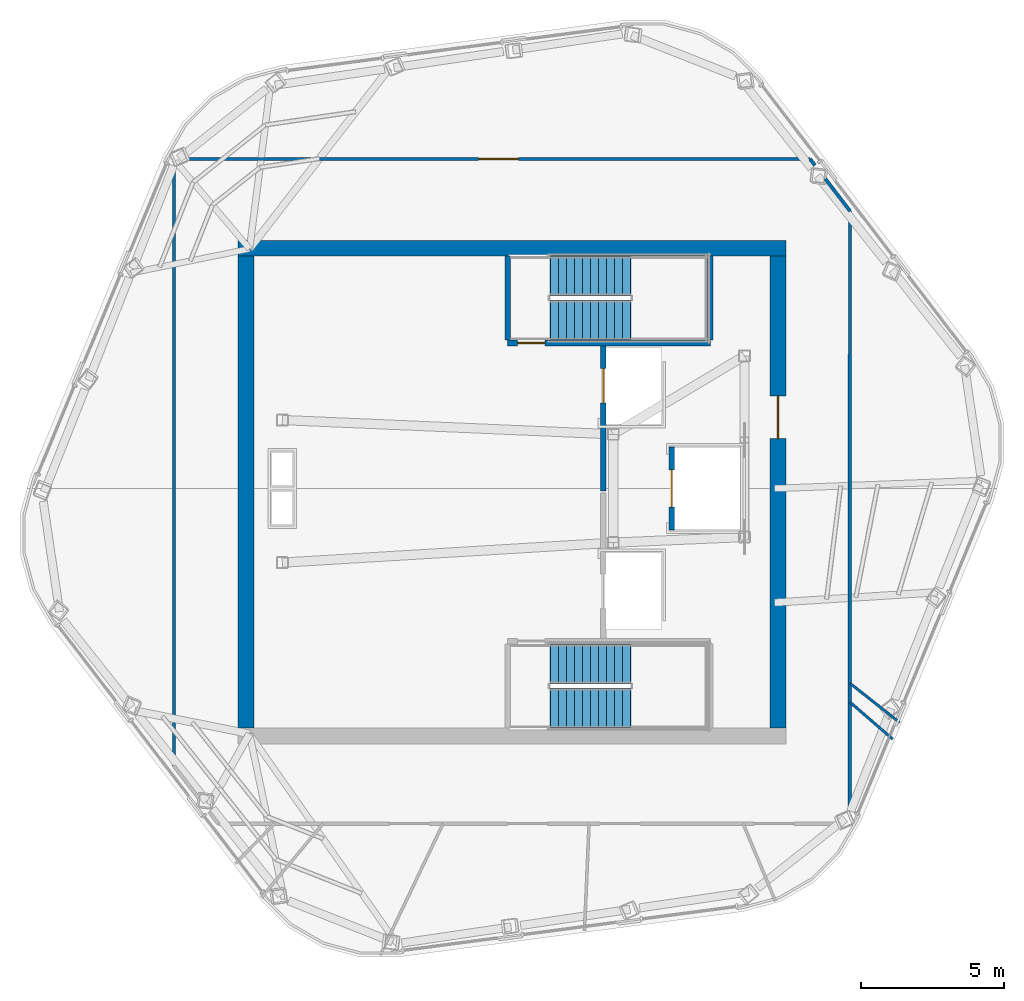
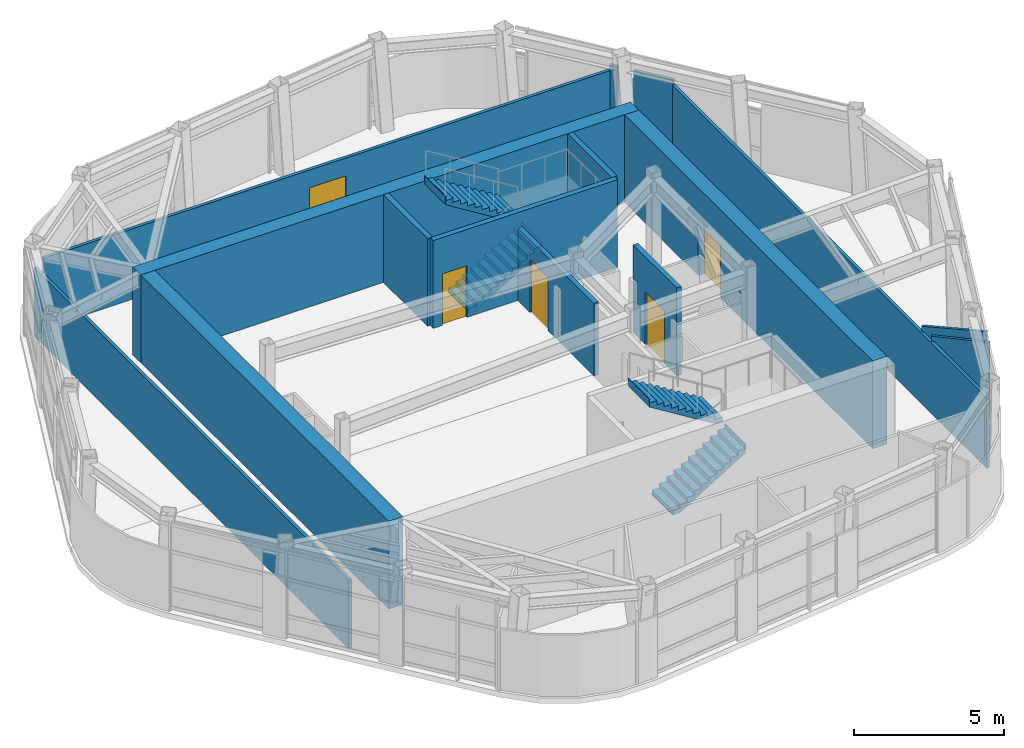
# One storey, part 6 of 9: 15 walls, 5 doors, 4 stair flights, 5 openings, 2 elements without a shape of their own.
"""IFC4 building model written with IfcOpenShell, lengths in metres."""

from ifc_helpers import new_model, si_unit, direction, frame, frame_2d, origin, place, context, subcontext, project, spatial, polyline, rectangle, outline, extrude, material, layer, layer_set, type_object, element, fill, aggregate, save


model = new_model("IFC4")

# Units and contexts
model_context = context("Model", 3, precision=1e-05, world=origin(), true_north=direction((0.0, 1.0)))
body_context = subcontext(model_context, "Body", "Model", "MODEL_VIEW")
ifc_project = project(units=[si_unit("LENGTHUNIT", "METRE"), si_unit("AREAUNIT", "SQUARE_METRE"), si_unit("VOLUMEUNIT", "CUBIC_METRE"), si_unit("PLANEANGLEUNIT", "RADIAN"), si_unit("MASSUNIT", "GRAM", prefix="KILO")], contexts=[model_context])

# Site, building, storey
site_placement = place(None, origin())
site = spatial("IfcSite", under=ifc_project, at=site_placement, CompositionType="ELEMENT")
building_placement = place(site_placement, origin())
building = spatial("IfcBuilding", under=site, at=building_placement, Name="Valkerne Bourse Tower", CompositionType="ELEMENT")
storey_placement = place(building_placement, frame((0.0, 0.0, 315.39990234375)))
storey = spatial("IfcBuildingStorey", under=building, at=storey_placement, Name="L80", CompositionType="ELEMENT", Elevation=315.39990234375)

# Wall
ifc_material_1 = material(Name="Concrete C55/67", Category="concrete")
ifc_layer_1 = layer(ifc_material_1, 0.550048828125)
ifc_layer_set_1 = layer_set([ifc_layer_1], Name="Concrete C55/67")
wall_type_1 = type_object("IfcWallType", Name="W-CORE-550", PredefinedType="SHEAR", material=ifc_layer_set_1)
wall_1_placement = place(storey_placement, frame((37.199951171875, 35.425048828125, 0.0), z_axis=(0.0, 0.0, 1.0), x_axis=(1.0, 0.0, 0.0)))
element("IfcWall", 1, at=wall_1_placement, inside=storey, type_object=wall_type_1, Name="L80 Core Shear Wall NORTH", PredefinedType="SHEAR", context=body_context, shape_type="SweptSolid", body=[
    extrude(rectangle(XDim=19.199951171875, YDim=0.550048828125, at=frame_2d((9.60009765625, 0.0))), origin(), (0.0, 0.0, 1.0), 3.580078125),
])

# Wall, opening, door
wall_2_placement = place(storey_placement, frame((56.125, 18.60009765625, 0.0), z_axis=(0.0, 0.0, 1.0), x_axis=(0.0, 1.0, 0.0)))
wall_2 = element("IfcWall", 2, at=wall_2_placement, inside=storey, type_object=wall_type_1, Name="L80 Core Shear Wall EAST", PredefinedType="SHEAR", context=body_context, shape_type="SweptSolid", body=[
    extrude(rectangle(XDim=16.5498046875, YDim=0.550048828125, at=frame_2d((8.27490234375, 0.0))), origin(), (0.0, 0.0, 1.0), 3.580078125),
])
opening_1_placement = place(wall_2_placement, frame((10.14990234375, 0.0, 0.0)))
opening_1 = element("IfcOpeningElement", 3, at=opening_1_placement, cuts=wall_2, Name="Opening D-CR-1500", PredefinedType="OPENING", context=body_context, shape_type="SweptSolid", body=[
    extrude(rectangle(XDim=1.5, YDim=2.14990234375, at=frame_2d((0.75, 1.074951171875))), frame((0.0, 0.284912109375, 0.0), z_axis=(0.0, -1.0, 0.0), x_axis=(1.0, 0.0, 0.0)), (0.0, 0.0, 1.0), 0.570068359375),
])
ifc_material_2 = material(Name="Galvanised Painted Steel", Category="steel")
door_type_1 = type_object("IfcDoorType", Name="DR-CORR-1500", OperationType="DOUBLE_DOOR_SINGLE_SWING", PredefinedType="DOOR", material=ifc_material_2)
door_1_placement = place(opening_1_placement, origin())
door_1 = element("IfcDoor", 4, at=door_1_placement, inside=storey, type_object=door_type_1, Name="L80 East Core Service Lobby Fire Door", OperationType="DOUBLE_DOOR_SINGLE_SWING", OverallHeight=2.14990234375, OverallWidth=1.5, PredefinedType="DOOR", context=body_context, shape_type="SweptSolid", body=[
    extrude(rectangle(XDim=1.5, YDim=2.14990234375, at=frame_2d((0.75, 1.074951171875))), frame((0.0, 0.02490234375, 0.0), z_axis=(0.0, -1.0, 0.0), x_axis=(1.0, 0.0, 0.0)), (0.0, 0.0, 1.0), 0.050048828125),
])
fill(opening_1, door_1)

# Walls
wall_3_placement = place(storey_placement, frame((37.47509765625, 18.60009765625, 0.0), z_axis=(0.0, 0.0, 1.0), x_axis=(0.0, 1.0, 0.0)))
element("IfcWall", 5, at=wall_3_placement, inside=storey, type_object=wall_type_1, Name="L80 Core Shear Wall WEST", PredefinedType="SHEAR", context=body_context, shape_type="SweptSolid", body=[
    extrude(rectangle(XDim=16.5498046875, YDim=0.550048828125, at=frame_2d((8.27490234375, 0.0))), origin(), (0.0, 0.0, 1.0), 3.580078125),
])
ifc_material_3 = material(Name="Gypsum Board Steel-Stud Partition", Category="steel")
ifc_layer_2 = layer(ifc_material_3, 0.117919921875)
ifc_layer_set_2 = layer_set([ifc_layer_2], Name="Gypsum Board Steel-Stud Partition")
wall_type_2 = type_object("IfcWallType", Name="W-CORR-140", PredefinedType="PARTITIONING", material=ifc_layer_set_2)
wall_4_placement = place(storey_placement, frame((34.949951171875, 17.274658203125, 0.0), z_axis=(0.0, 0.0, 1.0), x_axis=(0.0, 1.0, 0.0)))
element("IfcWall", 6, at=wall_4_placement, inside=storey, type_object=wall_type_2, Name="L80 Corridor Enclosure Wall", PredefinedType="PARTITIONING", context=body_context, shape_type="SweptSolid", body=[
    extrude(rectangle(XDim=21.01806640625, YDim=0.117919921875, at=frame_2d((10.509033203125, 0.0))), origin(), (0.0, 0.0, 1.0), 2.800537109375),
])

# Wall, opening, door
wall_5_placement = place(storey_placement, frame((35.4052734375, 38.550048828125, 0.0), z_axis=(0.0, 0.0, 1.0), x_axis=(1.0, 0.0, 0.0)))
wall_5 = element("IfcWall", 7, at=wall_5_placement, inside=storey, type_object=wall_type_2, Name="L80 Corridor Enclosure Wall", PredefinedType="PARTITIONING", context=body_context, shape_type="SweptSolid", body=[
    extrude(rectangle(XDim=21.8447265625, YDim=0.117919921875, at=frame_2d((10.92236328125, 0.0))), origin(), (0.0, 0.0, 1.0), 2.876708984375),
])
opening_2_placement = place(wall_5_placement, frame((10.222412109375, 0.0, 0.0)))
opening_2 = element("IfcOpeningElement", 8, at=opening_2_placement, cuts=wall_5, Name="Opening D-PL-1400", PredefinedType="OPENING", context=body_context, shape_type="SweptSolid", body=[
    extrude(rectangle(XDim=1.39990234375, YDim=2.14990234375, at=frame_2d((0.699951171875, 1.074951171875))), frame((0.0, 0.06884765625, 0.0), z_axis=(0.0, -1.0, 0.0), x_axis=(1.0, 0.0, 0.0)), (0.0, 0.0, 1.0), 0.137939453125),
])
door_type_2 = type_object("IfcDoorType", Name="DR-PLT-1400", OperationType="DOUBLE_DOOR_SINGLE_SWING", PredefinedType="DOOR", material=ifc_material_2)
door_2_placement = place(opening_2_placement, origin())
door_2 = element("IfcDoor", 9, at=door_2_placement, inside=storey, type_object=door_type_2, Name="L80 L80 Crown Fresh-Air AHU Mechanical Plant Room 5 Door", OperationType="DOUBLE_DOOR_SINGLE_SWING", OverallHeight=2.14990234375, OverallWidth=1.39990234375, PredefinedType="DOOR", context=body_context, shape_type="SweptSolid", body=[
    extrude(rectangle(XDim=1.39990234375, YDim=2.14990234375, at=frame_2d((0.699951171875, 1.074951171875))), frame((0.0, 0.02490234375, 0.0), z_axis=(0.0, -1.0, 0.0), x_axis=(1.0, 0.0, 0.0)), (0.0, 0.0, 1.0), 0.050048828125),
])
fill(opening_2, door_2)

# Walls
wall_6_placement = place(storey_placement, frame((57.25, 38.550048828125, 0.0), z_axis=(0.0, 0.0, 1.0), x_axis=(0.608728266511, -0.79337878567, 0.0)))
element("IfcWall", 10, at=wall_6_placement, inside=storey, type_object=wall_type_2, Name="L80 Corridor Enclosure Wall", PredefinedType="PARTITIONING", context=body_context, shape_type="SweptSolid", body=[
    extrude(rectangle(XDim=0.2763671875, YDim=0.117919921875, at=frame_2d((0.13818359375, 0.0))), origin(), (0.0, 0.0, 1.0), 3.09521484375),
])
wall_7_placement = place(storey_placement, frame((57.783447265625, 37.8544921875, 0.0), z_axis=(0.0, 0.0, 1.0), x_axis=(0.608773594501, -0.793344005232, 0.0)))
element("IfcWall", 11, at=wall_7_placement, inside=storey, type_object=wall_type_2, Name="L80 Corridor Enclosure Wall", PredefinedType="PARTITIONING", context=body_context, shape_type="SweptSolid", body=[
    extrude(rectangle(XDim=1.42333984375, YDim=0.117919921875, at=frame_2d((0.711669921875, 0.0))), origin(), (0.0, 0.0, 1.0), 3.09521484375),
])
wall_8_placement = place(storey_placement, frame((58.64990234375, 36.725341796875, 0.0), z_axis=(0.0, 0.0, 1.0), x_axis=(-0.000801756636, -0.999999678593, 0.0)))
element("IfcWall", 12, at=wall_8_placement, inside=storey, type_object=wall_type_2, Name="L80 Corridor Enclosure Wall", PredefinedType="PARTITIONING", context=body_context, shape_type="SweptSolid", body=[
    extrude(rectangle(XDim=21.010986328125, YDim=0.117919921875, at=frame_2d((10.50537109375, 0.0))), origin(), (0.0, 0.0, 1.0), 2.876708984375),
])

# Wall, opening, door
ifc_material_4 = material(Name="Gypsum Fire-Rated Shaftwall", Category="gypsum")
ifc_layer_3 = layer(ifc_material_4, 0.179931640625)
ifc_layer_set_3 = layer_set([ifc_layer_3], Name="Gypsum Fire-Rated Shaftwall")
wall_type_3 = type_object("IfcWallType", Name="W-FSAE-180", PredefinedType="PARTITIONING", material=ifc_layer_set_3)
wall_9_placement = place(storey_placement, frame((50.0, 26.919921875, 0.0), z_axis=(0.0, 0.0, 1.0), x_axis=(0.0, 1.0, 0.0)))
wall_9 = element("IfcWall", 13, at=wall_9_placement, inside=storey, type_object=wall_type_3, Name="L80 FSAE-2 Lobby & Shaft Front Wall", PredefinedType="PARTITIONING", context=body_context, shape_type="SweptSolid", body=[
    extrude(rectangle(XDim=5.080078125, YDim=0.179931640625, at=frame_2d((2.5400390625, 0.0))), origin(), (0.0, 0.0, 1.0), 2.9580078125),
])
opening_3_placement = place(wall_9_placement, frame((3.080078125, 0.0, 0.0)))
opening_3 = element("IfcOpeningElement", 14, at=opening_3_placement, cuts=wall_9, Name="Opening LD-1200", PredefinedType="OPENING", context=body_context, shape_type="SweptSolid", body=[
    extrude(rectangle(XDim=1.199951171875, YDim=2.14990234375, at=frame_2d((0.60009765625, 1.074951171875))), frame((0.0, 0.099853515625, 0.0), z_axis=(0.0, -1.0, 0.0), x_axis=(1.0, 0.0, 0.0)), (0.0, 0.0, 1.0), 0.199951171875),
])
ifc_material_5 = material(Name="Stainless Steel AISI 316", Category="steel")
door_type_3 = type_object("IfcDoorType", Name="DR-LIFT-1200", OperationType="DOUBLE_DOOR_SLIDING", PredefinedType="DOOR", material=ifc_material_5)
door_3_placement = place(opening_3_placement, origin())
door_3 = element("IfcDoor", 15, at=door_3_placement, inside=storey, type_object=door_type_3, Name="L80 FSAE-2 Firefighting Lift Landing Door", OperationType="DOUBLE_DOOR_SLIDING", OverallHeight=2.14990234375, OverallWidth=1.199951171875, PredefinedType="DOOR", context=body_context, shape_type="SweptSolid", body=[
    extrude(rectangle(XDim=1.199951171875, YDim=2.14990234375, at=frame_2d((0.60009765625, 1.074951171875))), frame((0.0, 0.02490234375, 0.0), z_axis=(0.0, -1.0, 0.0), x_axis=(1.0, 0.0, 0.0)), (0.0, 0.0, 1.0), 0.050048828125),
])
fill(opening_3, door_3)

ifc_material_6 = material(Name="CMU Blockwork Masonry 200mm", Category="masonry")
ifc_layer_4 = layer(ifc_material_6, 0.179931640625)
ifc_layer_set_4 = layer_set([ifc_layer_4], Name="CMU Blockwork Masonry 200mm")
wall_type_4 = type_object("IfcWallType", Name="W-LFT-180", PredefinedType="SOLIDWALL", material=ifc_layer_set_4)
wall_10_placement = place(storey_placement, frame((52.39990234375, 25.550048828125, 0.0), z_axis=(0.0, 0.0, 1.0), x_axis=(0.0, 1.0, 0.0)))
wall_10 = element("IfcWall", 16, at=wall_10_placement, inside=storey, type_object=wall_type_4, Name="L80 Service Lift SV-1 Front Wall", PredefinedType="SOLIDWALL", context=body_context, shape_type="SweptSolid", body=[
    extrude(rectangle(XDim=2.89990234375, YDim=0.179931640625, at=frame_2d((1.449951171875, 0.0))), origin(), (0.0, 0.0, 1.0), 3.580078125),
])
opening_4_placement = place(wall_10_placement, frame((0.800048828125, 0.0, 0.0)))
opening_4 = element("IfcOpeningElement", 17, at=opening_4_placement, cuts=wall_10, Name="Opening LD-1300", PredefinedType="OPENING", context=body_context, shape_type="SweptSolid", body=[
    extrude(rectangle(XDim=1.300048828125, YDim=2.14990234375, at=frame_2d((0.64990234375, 1.074951171875))), frame((0.0, 0.099853515625, 0.0), z_axis=(0.0, -1.0, 0.0), x_axis=(1.0, 0.0, 0.0)), (0.0, 0.0, 1.0), 0.199951171875),
])
door_type_4 = type_object("IfcDoorType", Name="DR-LIFT-1300", OperationType="DOUBLE_DOOR_SLIDING", PredefinedType="DOOR", material=ifc_material_5)
door_4_placement = place(opening_4_placement, origin())
door_4 = element("IfcDoor", 18, at=door_4_placement, inside=storey, type_object=door_type_4, Name="L80 Service Lift SV-1 Landing Door", OperationType="DOUBLE_DOOR_SLIDING", OverallHeight=2.14990234375, OverallWidth=1.300048828125, PredefinedType="DOOR", context=body_context, shape_type="SweptSolid", body=[
    extrude(rectangle(XDim=1.300048828125, YDim=2.14990234375, at=frame_2d((0.64990234375, 1.074951171875))), frame((0.0, 0.02490234375, 0.0), z_axis=(0.0, -1.0, 0.0), x_axis=(1.0, 0.0, 0.0)), (0.0, 0.0, 1.0), 0.050048828125),
])
fill(opening_4, door_4)

# Walls
ifc_layer_5 = layer(ifc_material_3, 0.092041015625)
ifc_layer_set_5 = layer_set([ifc_layer_5], Name="Gypsum Board Steel-Stud Partition")
wall_type_5 = type_object("IfcWallType", Name="W-PART-115", PredefinedType="PARTITIONING", material=ifc_layer_set_5)
wall_11_placement = place(storey_placement, frame((58.655029296875, 20.165771484375, 0.0), z_axis=(0.0, 0.0, 1.0), x_axis=(0.784792153455, -0.619759046626, 0.0)))
element("IfcWall", 19, at=wall_11_placement, inside=storey, type_object=wall_type_5, Name="L80 Suite Partition P01", PredefinedType="PARTITIONING", context=body_context, shape_type="SweptSolid", body=[
    extrude(rectangle(XDim=2.207275390625, YDim=0.092041015625, at=frame_2d((1.103515625, 0.0))), origin(), (0.0, 0.0, 1.0), 3.09521484375),
])
wall_12_placement = place(storey_placement, frame((58.655029296875, 19.5048828125, 0.0), z_axis=(0.0, 0.0, 1.0), x_axis=(0.755881086875, -0.654708929605, 0.0)))
element("IfcWall", 20, at=wall_12_placement, inside=storey, type_object=wall_type_5, Name="L80 Suite Partition P07", PredefinedType="PARTITIONING", context=body_context, shape_type="SweptSolid", body=[
    extrude(rectangle(XDim=1.971435546875, YDim=0.092041015625, at=frame_2d((0.98583984375, 0.0))), origin(), (0.0, 0.0, 1.0), 3.09521484375),
])

# Wall, opening, door
ifc_material_7 = material(Name="Concrete C40/50", Category="concrete")
ifc_layer_6 = layer(ifc_material_7, 0.199951171875)
ifc_layer_set_6 = layer_set([ifc_layer_6], Name="Concrete C40/50")
wall_type_6 = type_object("IfcWallType", Name="W-SHF-200", PredefinedType="SHEAR", material=ifc_layer_set_6)
wall_13_placement = place(storey_placement, frame((46.64990234375, 32.10009765625, 0.0), z_axis=(0.0, 0.0, 1.0), x_axis=(1.0, 0.0, 0.0)))
wall_13 = element("IfcWall", 21, at=wall_13_placement, inside=storey, type_object=wall_type_6, Name="L80 Exit Stair ST-2 Structural Shaft Wall South", PredefinedType="SHEAR", context=body_context, shape_type="SweptSolid", body=[
    extrude(rectangle(XDim=7.10009765625, YDim=0.199951171875, at=frame_2d((3.550048828125, 0.0))), origin(), (0.0, 0.0, 1.0), 3.580078125),
])
opening_5_placement = place(wall_13_placement, frame((0.35009765625, 0.0, 0.0)))
opening_5 = element("IfcOpeningElement", 22, at=opening_5_placement, cuts=wall_13, Name="Opening D-ST-950", PredefinedType="OPENING", context=body_context, shape_type="SweptSolid", body=[
    extrude(rectangle(XDim=0.949951171875, YDim=2.10009765625, at=frame_2d((0.47509765625, 1.050048828125))), frame((0.0, 0.10986328125, 0.0), z_axis=(0.0, -1.0, 0.0), x_axis=(1.0, 0.0, 0.0)), (0.0, 0.0, 1.0), 0.219970703125),
])
door_type_5 = type_object("IfcDoorType", Name="DR-STAIR-950", OperationType="NOTDEFINED", PredefinedType="DOOR", material=ifc_material_2)
door_5_placement = place(opening_5_placement, origin())
door_5 = element("IfcDoor", 23, at=door_5_placement, inside=storey, type_object=door_type_5, Name="L80 Exit Stair ST-2 Door", OperationType="SINGLE_SWING_RIGHT", OverallHeight=2.10009765625, OverallWidth=0.949951171875, PredefinedType="DOOR", context=body_context, shape_type="SweptSolid", body=[
    extrude(rectangle(XDim=0.949951171875, YDim=2.10009765625, at=frame_2d((0.47509765625, 1.050048828125))), frame((0.0, 0.02490234375, 0.0), z_axis=(0.0, -1.0, 0.0), x_axis=(1.0, 0.0, 0.0)), (0.0, 0.0, 1.0), 0.050048828125),
])
fill(opening_5, door_5)

# Walls
for number, where, z_axis, x_axis, name in (
    (24, (46.64990234375, 32.199951171875, 0.0), (0.0, 0.0, 1.0), (0.0, 1.0, 0.0), "L80 Exit Stair ST-2 Structural Shaft Wall West"),
    (25, (53.75, 32.199951171875, 0.0), (0.0, 0.0, 1.0), (0.0, 1.0, 0.0), "L80 Exit Stair ST-2 Structural Shaft Wall East"),
):
    element("IfcWall", number, at=place(storey_placement, frame(where, z_axis=z_axis, x_axis=x_axis)), inside=storey, type_object=wall_type_6, Name=name, PredefinedType="SHEAR", context=body_context, shape_type="SweptSolid", body=[
        extrude(rectangle(XDim=2.949951171875, YDim=0.199951171875, at=frame_2d((1.47509765625, 0.0))), origin(), (0.0, 0.0, 1.0), 3.580078125),
    ])

# Stair, stair flights
stair_type = type_object("IfcStairType", Name="ST-CORE-1400", PredefinedType="HALF_TURN_STAIR", material=ifc_material_7)
stair_1_placement = place(storey_placement, origin())
stair_1 = element("IfcStair", 26, at=stair_1_placement, inside=storey, type_object=stair_type, Name="L80 ST-1", PredefinedType="HALF_TURN_STAIR")
stair_flight_type = type_object("IfcStairFlightType", Name="STF-CORE-1400", PredefinedType="STRAIGHT", material=ifc_material_7)
stair_flight_1_placement = place(storey_placement, frame((48.14990234375, 19.300048828125, 0.0), z_axis=(0.0, 0.0, 1.0), x_axis=(1.0, 0.0, 0.0)))
stair_flight_1 = element("IfcStairFlight", 27, at=stair_flight_1_placement, type_object=stair_flight_type, Name="ST-1 flight 1", NumberOfRisers=11, NumberOfTreads=10, PredefinedType="STRAIGHT", RiserHeight=0.172727273, TreadLength=0.28, context=body_context, shape_type="SweptSolid", body=[
    extrude(outline(polyline([(-0.02001953125, 0.0), (-0.02001953125, 0.044921875), (0.0, 0.044921875), (0.0, 0.172607421875), (0.280029296875, 0.172607421875), (0.280029296875, 0.345458984375), (0.56005859375, 0.345458984375), (0.56005859375, 0.51806640625), (0.840087890625, 0.51806640625), (0.840087890625, 0.69091796875), (1.1201171875, 0.69091796875), (1.1201171875, 0.863525390625), (1.39990234375, 0.863525390625), (1.39990234375, 1.036376953125), (1.679931640625, 1.036376953125), (1.679931640625, 1.208984375), (1.9599609375, 1.208984375), (1.9599609375, 1.3818359375), (2.239990234375, 1.3818359375), (2.239990234375, 1.554443359375), (2.52001953125, 1.554443359375), (2.52001953125, 1.727294921875), (2.800048828125, 1.727294921875), (2.800048828125, 1.89990234375), (2.820068359375, 1.89990234375), (2.820068359375, 1.780029296875), (2.800048828125, 1.551025390625), (0.285400390625, 0.0), (-0.02001953125, 0.0)])), frame((0.0, 0.699951171875, 0.0), z_axis=(0.0, -1.0, 0.0), x_axis=(1.0, 0.0, 0.0)), (0.0, 0.0, 1.0), 1.39990234375),
])
stair_flight_2_placement = place(storey_placement, frame((50.949951171875, 20.85009765625, 1.900146484375), z_axis=(0.0, 0.0, 1.0), x_axis=(-1.0, 0.0, 0.0)))
stair_flight_2 = element("IfcStairFlight", 28, at=stair_flight_2_placement, type_object=stair_flight_type, Name="ST-1 flight 2", NumberOfRisers=11, NumberOfTreads=10, PredefinedType="STRAIGHT", RiserHeight=0.172727273, TreadLength=0.28, context=body_context, shape_type="SweptSolid", body=[
    extrude(outline(polyline([(-0.02001953125, 0.0), (-0.02001953125, 0.044921875), (0.0, 0.044921875), (0.0, 0.172607421875), (0.280029296875, 0.172607421875), (0.280029296875, 0.345458984375), (0.56005859375, 0.345458984375), (0.56005859375, 0.51806640625), (0.840087890625, 0.51806640625), (0.840087890625, 0.69091796875), (1.1201171875, 0.69091796875), (1.1201171875, 0.863525390625), (1.39990234375, 0.863525390625), (1.39990234375, 1.036376953125), (1.679931640625, 1.036376953125), (1.679931640625, 1.208984375), (1.9599609375, 1.208984375), (1.9599609375, 1.3818359375), (2.239990234375, 1.3818359375), (2.239990234375, 1.554443359375), (2.52001953125, 1.554443359375), (2.52001953125, 1.727294921875), (2.800048828125, 1.727294921875), (2.800048828125, 1.89990234375), (2.820068359375, 1.89990234375), (2.820068359375, 1.780029296875), (2.800048828125, 1.551025390625), (0.285400390625, 0.0), (-0.02001953125, 0.0)])), frame((0.0, 0.699951171875, 0.0), z_axis=(0.0, -1.0, 0.0), x_axis=(1.0, 0.0, 0.0)), (0.0, 0.0, 1.0), 1.39990234375),
])
aggregate(stair_1, [stair_flight_1, stair_flight_2])

stair_2_placement = place(storey_placement, origin())
stair_2 = element("IfcStair", 29, at=stair_2_placement, inside=storey, type_object=stair_type, Name="L80 ST-2", PredefinedType="HALF_TURN_STAIR")
stair_flight_3_placement = place(storey_placement, frame((48.14990234375, 32.89990234375, 0.0), z_axis=(0.0, 0.0, 1.0), x_axis=(1.0, 0.0, 0.0)))
stair_flight_3 = element("IfcStairFlight", 30, at=stair_flight_3_placement, type_object=stair_flight_type, Name="ST-2 flight 1", NumberOfRisers=11, NumberOfTreads=10, PredefinedType="STRAIGHT", RiserHeight=0.172727273, TreadLength=0.28, context=body_context, shape_type="SweptSolid", body=[
    extrude(outline(polyline([(-0.02001953125, 0.0), (-0.02001953125, 0.044921875), (0.0, 0.044921875), (0.0, 0.172607421875), (0.280029296875, 0.172607421875), (0.280029296875, 0.345458984375), (0.56005859375, 0.345458984375), (0.56005859375, 0.51806640625), (0.840087890625, 0.51806640625), (0.840087890625, 0.69091796875), (1.1201171875, 0.69091796875), (1.1201171875, 0.863525390625), (1.39990234375, 0.863525390625), (1.39990234375, 1.036376953125), (1.679931640625, 1.036376953125), (1.679931640625, 1.208984375), (1.9599609375, 1.208984375), (1.9599609375, 1.3818359375), (2.239990234375, 1.3818359375), (2.239990234375, 1.554443359375), (2.52001953125, 1.554443359375), (2.52001953125, 1.727294921875), (2.800048828125, 1.727294921875), (2.800048828125, 1.89990234375), (2.820068359375, 1.89990234375), (2.820068359375, 1.780029296875), (2.800048828125, 1.551025390625), (0.285400390625, 0.0), (-0.02001953125, 0.0)])), frame((0.0, 0.699951171875, 0.0), z_axis=(0.0, -1.0, 0.0), x_axis=(1.0, 0.0, 0.0)), (0.0, 0.0, 1.0), 1.39990234375),
])
stair_flight_4_placement = place(storey_placement, frame((50.949951171875, 34.449951171875, 1.900146484375), z_axis=(0.0, 0.0, 1.0), x_axis=(-1.0, 0.0, 0.0)))
stair_flight_4 = element("IfcStairFlight", 31, at=stair_flight_4_placement, type_object=stair_flight_type, Name="ST-2 flight 2", NumberOfRisers=11, NumberOfTreads=10, PredefinedType="STRAIGHT", RiserHeight=0.172727273, TreadLength=0.28, context=body_context, shape_type="SweptSolid", body=[
    extrude(outline(polyline([(-0.02001953125, 0.0), (-0.02001953125, 0.044921875), (0.0, 0.044921875), (0.0, 0.172607421875), (0.280029296875, 0.172607421875), (0.280029296875, 0.345458984375), (0.56005859375, 0.345458984375), (0.56005859375, 0.51806640625), (0.840087890625, 0.51806640625), (0.840087890625, 0.69091796875), (1.1201171875, 0.69091796875), (1.1201171875, 0.863525390625), (1.39990234375, 0.863525390625), (1.39990234375, 1.036376953125), (1.679931640625, 1.036376953125), (1.679931640625, 1.208984375), (1.9599609375, 1.208984375), (1.9599609375, 1.3818359375), (2.239990234375, 1.3818359375), (2.239990234375, 1.554443359375), (2.52001953125, 1.554443359375), (2.52001953125, 1.727294921875), (2.800048828125, 1.727294921875), (2.800048828125, 1.89990234375), (2.820068359375, 1.89990234375), (2.820068359375, 1.780029296875), (2.800048828125, 1.551025390625), (0.285400390625, 0.0), (-0.02001953125, 0.0)])), frame((0.0, 0.699951171875, 0.0), z_axis=(0.0, -1.0, 0.0), x_axis=(1.0, 0.0, 0.0)), (0.0, 0.0, 1.0), 1.39990234375),
])
aggregate(stair_2, [stair_flight_3, stair_flight_4])

save(model, "model.ifc")
